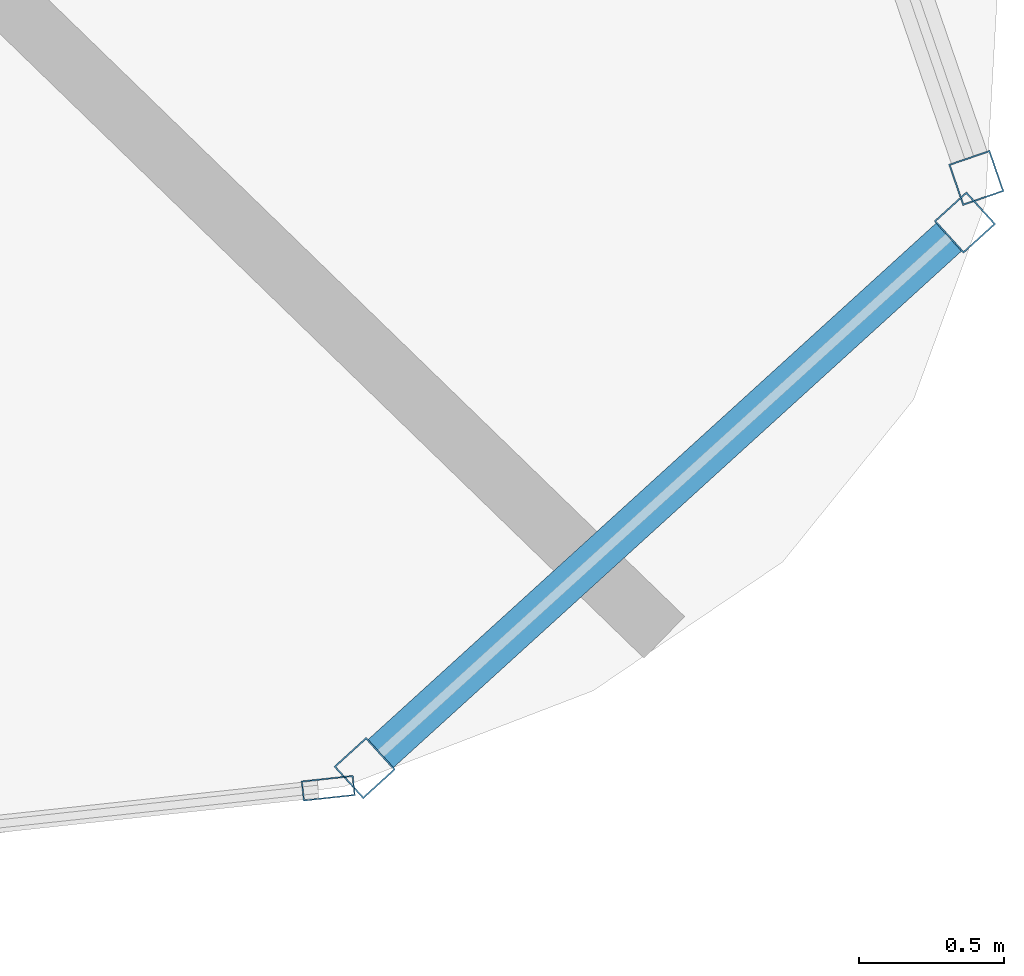
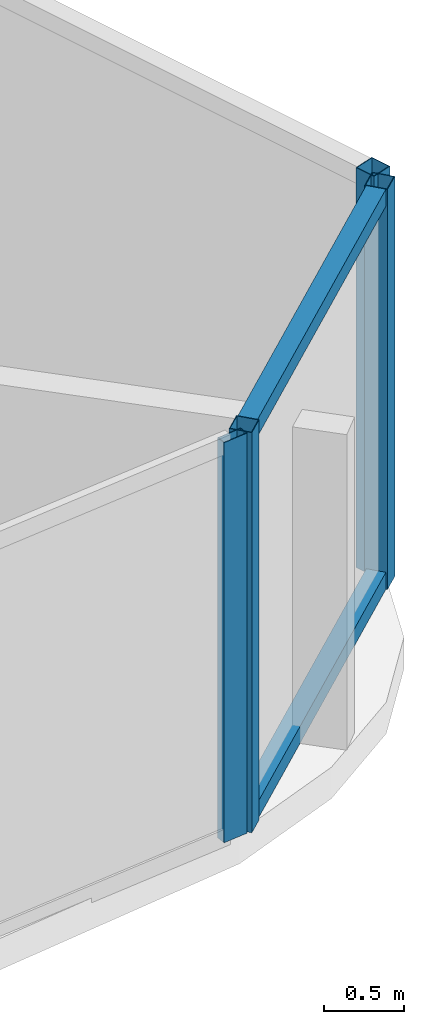
# One storey, part 14 of 33: 6 members, 3 elements without a shape of their own.
"""IFC4 building model written with IfcOpenShell, lengths in metres."""

from ifc_helpers import new_model, si_unit, direction, frame, origin, origin_2d, place, context, subcontext, project, spatial, hollow_rectangle, extrude, material, layer, layer_set, material_profile, profile_set, type_object, element, aggregate, save


model = new_model("IFC4")

# Units and contexts
model_context = context("Model", 3, precision=1e-05, world=origin(), true_north=direction((0.0, 1.0)))
body_context = subcontext(model_context, "Body", "Model", "MODEL_VIEW")
ifc_project = project(units=[si_unit("LENGTHUNIT", "METRE"), si_unit("AREAUNIT", "SQUARE_METRE"), si_unit("VOLUMEUNIT", "CUBIC_METRE"), si_unit("PLANEANGLEUNIT", "RADIAN"), si_unit("MASSUNIT", "GRAM", prefix="KILO")], contexts=[model_context])

# Site, building, storey
site_placement = place(None, origin())
site = spatial("IfcSite", under=ifc_project, at=site_placement, CompositionType="ELEMENT")
building_placement = place(site_placement, origin())
building = spatial("IfcBuilding", under=site, at=building_placement, Name="Orvanel Arch Residences", CompositionType="ELEMENT")
storey_placement = place(building_placement, frame((0.0, 0.0, 70.85009765625)))
storey = spatial("IfcBuildingStorey", under=building, at=storey_placement, Name="L19", CompositionType="ELEMENT", Elevation=70.85009765625)

# Curtain wall, members
ifc_material = material(Name="Bronze-anodised aluminium AA6063-T6", Category="aluminium")
ifc_layer_1 = layer(ifc_material, 0.18994140625)
ifc_layer_set_1 = layer_set([ifc_layer_1], Name="Bronze-anodised aluminium AA6063-T6")
curtain_wall_type_1 = type_object("IfcCurtainWallType", Name="CW5-CRN-SYS", PredefinedType="NOTDEFINED", material=ifc_layer_set_1)
curtain_wall_1_placement = place(storey_placement, origin())
curtain_wall_1 = element("IfcCurtainWall", 1, at=curtain_wall_1_placement, inside=storey, type_object=curtain_wall_type_1, Name="L19 CW5-CRN-SYS Unitised Curtain Wall", PredefinedType="NOTDEFINED")
ifc_material_profile_1 = material_profile(ifc_material, hollow_rectangle(XDim=0.14990234375, YDim=0.14990234375, WallThickness=0.0048828125, at=origin_2d()), Name="ALU150x150x5")
ifc_profile_set_1 = profile_set([ifc_material_profile_1], Name="Bronze-anodised aluminium AA6063-T6")
member_type_1 = type_object("IfcMemberType", Name="MUL-150x150", PredefinedType="MULLION", material=ifc_profile_set_1)
member_1_placement = place(storey_placement, frame((58.722412109375, 4.115478515625, 0.0), z_axis=(0.0, 0.0, 1.0), x_axis=(-0.672621989793, 0.73998625585, 0.0)))
member_1 = element("IfcMember", 2, at=member_1_placement, type_object=member_type_1, Name="CW-S5 mullion 1", PredefinedType="MULLION", context=body_context, shape_type="SweptSolid", body=[
    extrude(hollow_rectangle(XDim=0.14990234375, YDim=0.14990234375, WallThickness=0.0048828125, at=origin_2d()), origin(), (0.0, 0.0, 1.0), 3.059814453125),
])
member_2_placement = place(storey_placement, frame((60.78662109375, 5.991455078125, 0.0), z_axis=(0.0, 0.0, 1.0), x_axis=(-0.672621989793, 0.73998625585, 0.0)))
member_2 = element("IfcMember", 3, at=member_2_placement, type_object=member_type_1, Name="CW-S5 mullion 2", PredefinedType="MULLION", context=body_context, shape_type="SweptSolid", body=[
    extrude(hollow_rectangle(XDim=0.14990234375, YDim=0.14990234375, WallThickness=0.0048828125, at=origin_2d()), origin(), (0.0, 0.0, 1.0), 3.059814453125),
])

# Curtain wall, member
curtain_wall_2_placement = place(storey_placement, origin())
curtain_wall_2 = element("IfcCurtainWall", 4, at=curtain_wall_2_placement, inside=storey, type_object=curtain_wall_type_1, Name="L19 CW5-CRN-SYS Unitised Curtain Wall", PredefinedType="NOTDEFINED")
member_3_placement = place(storey_placement, frame((60.82568359375, 6.14501953125, 0.0), z_axis=(0.0, 0.0, 1.0), x_axis=(-0.945657194416, -0.325165297425, 0.0)))
member_3 = element("IfcMember", 5, at=member_3_placement, type_object=member_type_1, Name="CW-S5 mullion 1", PredefinedType="MULLION", context=body_context, shape_type="SweptSolid", body=[
    extrude(hollow_rectangle(XDim=0.14990234375, YDim=0.14990234375, WallThickness=0.0048828125, at=origin_2d()), origin(), (0.0, 0.0, 1.0), 3.059814453125),
])
aggregate(curtain_wall_2, [member_3])

ifc_layer_2 = layer(ifc_material, 0.179931640625)
ifc_layer_set_2 = layer_set([ifc_layer_2], Name="Bronze-anodised aluminium AA6063-T6")
curtain_wall_type_2 = type_object("IfcCurtainWallType", Name="CW2-LOW-SYS", PredefinedType="NOTDEFINED", material=ifc_layer_set_2)
curtain_wall_3_placement = place(storey_placement, origin())
curtain_wall_3 = element("IfcCurtainWall", 6, at=curtain_wall_3_placement, inside=storey, type_object=curtain_wall_type_2, Name="L19 CW2-LOW-SYS Unitised Curtain Wall", PredefinedType="NOTDEFINED")
ifc_material_profile_2 = material_profile(ifc_material, hollow_rectangle(XDim=0.070068359375, YDim=0.179931640625, WallThickness=0.00439453125, at=origin_2d()), Name="ALU180x70x4.5")
ifc_profile_set_2 = profile_set([ifc_material_profile_2], Name="Bronze-anodised aluminium AA6063-T6")
member_type_2 = type_object("IfcMemberType", Name="MUL-180x70", PredefinedType="MULLION", material=ifc_profile_set_2)
member_4_placement = place(storey_placement, frame((58.59716796875, 4.046142578125, 0.0), z_axis=(0.0, 0.0, 1.0), x_axis=(-0.107811076303, 0.994171399622, 0.0)))
member_4 = element("IfcMember", 7, at=member_4_placement, type_object=member_type_2, Name="CW-S2 mullion 4", PredefinedType="MULLION", context=body_context, shape_type="SweptSolid", body=[
    extrude(hollow_rectangle(XDim=0.070068359375, YDim=0.179931640625, WallThickness=0.00439453125, at=origin_2d()), origin(), (0.0, 0.0, 1.0), 3.059814453125),
])
aggregate(curtain_wall_3, [member_4])

# Member
ifc_material_profile_3 = material_profile(ifc_material, hollow_rectangle(XDim=0.1298828125, YDim=0.1298828125, WallThickness=0.00439453125, at=origin_2d()), Name="ALU130x130x4.5")
ifc_profile_set_3 = profile_set([ifc_material_profile_3], Name="Bronze-anodised aluminium AA6063-T6")
member_type_3 = type_object("IfcMemberType", Name="TRN-130x130", PredefinedType="USERDEFINED", material=ifc_profile_set_3)
member_5_placement = place(storey_placement, frame((58.778076171875, 4.165771484375, 0.06494140625), z_axis=(0.739931702024, 0.67268200239, 0.0), x_axis=(-0.67268200239, 0.739931702024, 0.0)))
member_5 = element("IfcMember", 8, at=member_5_placement, type_object=member_type_3, Name="CW-S5 transom 1.1", ObjectType="TRANSOM", PredefinedType="USERDEFINED", context=body_context, shape_type="SweptSolid", body=[
    extrude(hollow_rectangle(XDim=0.1298828125, YDim=0.1298828125, WallThickness=0.00439453125, at=origin_2d()), origin(), (0.0, 0.0, 1.0), 2.63916015625),
])

member_6_placement = place(storey_placement, frame((58.778076171875, 4.165771484375, 2.994873046875), z_axis=(0.739931702024, 0.67268200239, 0.0), x_axis=(-0.67268200239, 0.739931702024, 0.0)))
member_6 = element("IfcMember", 9, at=member_6_placement, type_object=member_type_3, Name="CW-S5 transom 1.2", ObjectType="TRANSOM", PredefinedType="USERDEFINED", context=body_context, shape_type="SweptSolid", body=[
    extrude(hollow_rectangle(XDim=0.1298828125, YDim=0.1298828125, WallThickness=0.00439453125, at=origin_2d()), origin(), (0.0, 0.0, 1.0), 2.63916015625),
])

aggregate(curtain_wall_1, [member_1, member_2, member_5, member_6])

save(model, "model.ifc")
